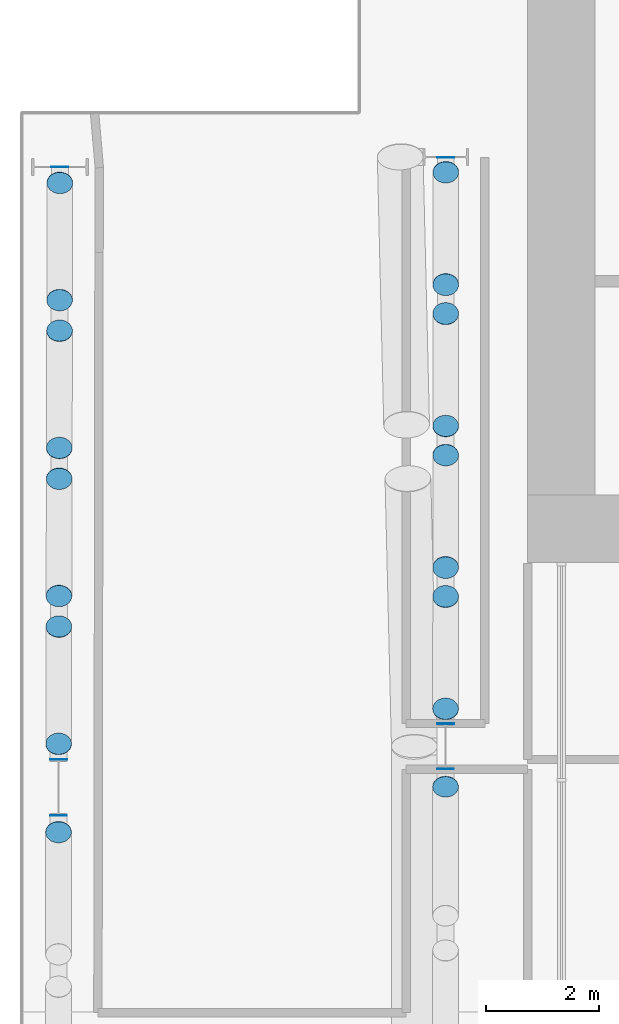
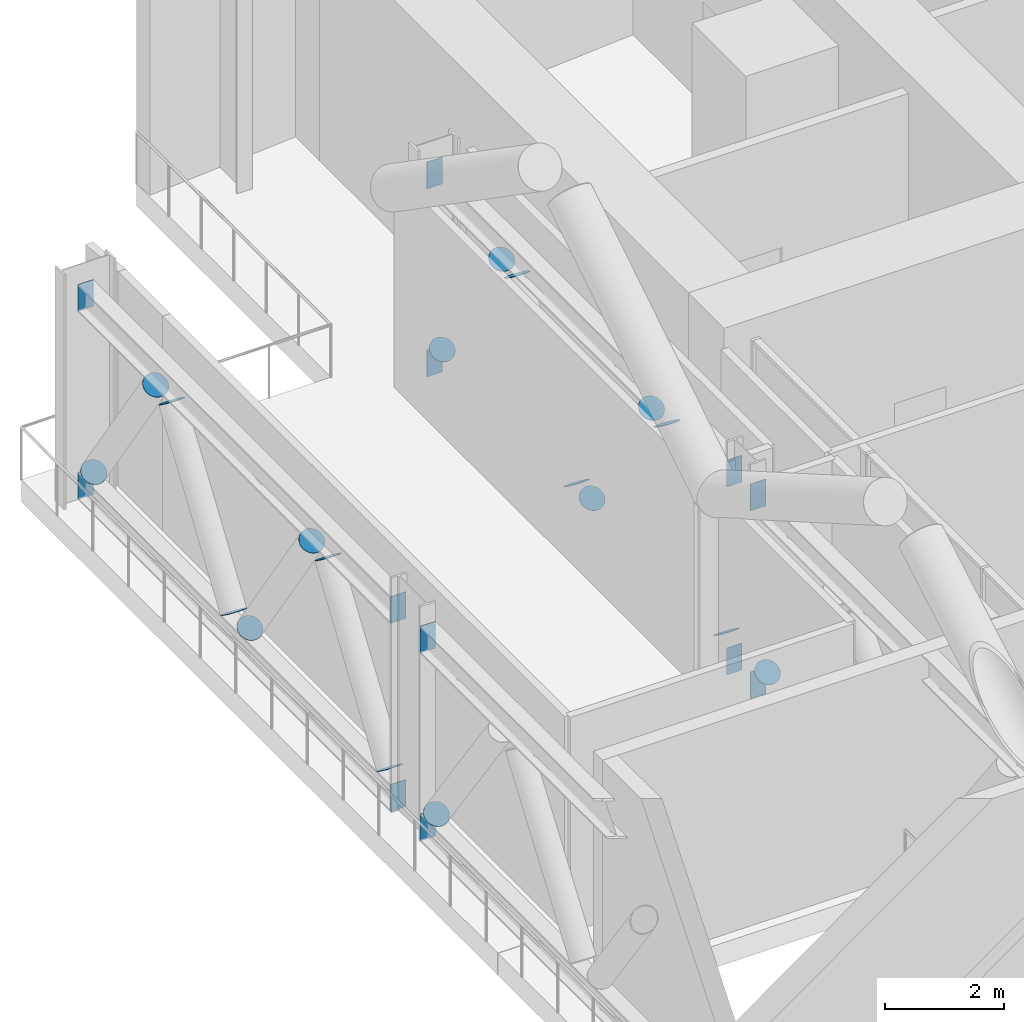
# One storey, part 30 of 39: 30 discrete accessories.
"""IFC4 building model written with IfcOpenShell, lengths in metres."""

from ifc_helpers import new_model, si_unit, direction, frame, origin, origin_2d, place, context, subcontext, project, spatial, rectangle, circle, extrude, material, material_profile, profile_set, type_object, element, save


model = new_model("IFC4")

# Units and contexts
model_context = context("Model", 3, precision=1e-05, world=origin(), true_north=direction((0.0, 1.0)))
body_context = subcontext(model_context, "Body", "Model", "MODEL_VIEW")
ifc_project = project(units=[si_unit("LENGTHUNIT", "METRE"), si_unit("AREAUNIT", "SQUARE_METRE"), si_unit("VOLUMEUNIT", "CUBIC_METRE"), si_unit("PLANEANGLEUNIT", "RADIAN"), si_unit("MASSUNIT", "GRAM", prefix="KILO")], contexts=[model_context])

# Site, building, storey
site_placement = place(None, origin())
site = spatial("IfcSite", under=ifc_project, at=site_placement, CompositionType="ELEMENT")
building_placement = place(site_placement, origin())
building = spatial("IfcBuilding", under=site, at=building_placement, Name="Wharfspan Tower", CompositionType="ELEMENT")
storey_placement = place(building_placement, frame((0.0, 0.0, 91.899902)))
storey = spatial("IfcBuildingStorey", under=building, at=storey_placement, Name="L20", CompositionType="ELEMENT", Elevation=91.899902)

# Discrete accessories
ifc_material_1 = material(Name="Steel S460NH", Category="steel")
ifc_material_profile_1 = material_profile(ifc_material_1, circle(Radius=0.228516, at=origin_2d()))
ifc_profile_set_1 = profile_set([ifc_material_profile_1], Name="Steel S460NH")
discrete_accessory_type_1 = type_object("IfcDiscreteAccessoryType", Name="End plate CHS 457x16", PredefinedType="BRACKET", material=ifc_profile_set_1)
for number, where, z_axis, x_axis, name in (
    (1, (7.544434, 40.941895, 0.666748), (0.0, -0.560309, 0.828283), (1.0, 0.0, 0.0), "End plate CHS 457x16"),
    (2, (7.543457, 38.944336, 3.725098), (0.0, -0.532172, 0.846637), (1.0, 0.0, 0.0), "End plate CHS 457x16"),
    (3, (7.543213, 38.42749, 3.733643), (0.0, -0.532172, -0.846637), (1.0, 0.0, 0.0), "End plate CHS 457x16"),
    (4, (7.54248, 36.430176, 0.675049), (0.0, -0.560309, -0.828283), (1.0, 0.0, 0.0), "End plate CHS 457x16"),
    (5, (7.542236, 35.91333, 0.666748), (0.0, -0.560309, 0.828283), (1.0, 0.0, 0.0), "End plate CHS 457x16"),
    (6, (7.54126, 33.915771, 3.725098), (0.0, -0.532172, 0.846637), (1.0, 0.0, 0.0), "End plate CHS 457x16"),
    (7, (7.54126, 33.398926, 3.733643), (0.0, -0.532172, -0.846637), (1.0, 0.0, 0.0), "End plate CHS 457x16"),
    (8, (7.540283, 31.401611, 0.675049), (0.0, -0.560309, -0.828283), (1.0, 0.0, 0.0), "End plate CHS 457x16"),
    (9, (7.540039, 30.02002, 0.679932), (0.0, -0.603858, 0.797092), (1.0, 0.0, 0.0), "End plate CHS 457x16"),
    (10, (0.684326, 40.753418, 0.670654), (-0.024354, -0.560143, 0.828038), (0.999053, -0.043437, 0.0), "End plate CHS 457x16"),
    (11, (0.679443, 38.669678, 3.721191), (0.0, -0.560309, 0.828283), (1.0, 0.0, 0.0), "End plate CHS 457x16"),
    (12, (0.678223, 38.123535, 3.729492), (0.0, -0.560309, -0.828283), (1.0, 0.0, 0.0), "End plate CHS 457x16"),
    (13, (0.673584, 36.039795, 0.678955), (0.0, -0.560309, -0.828283), (1.0, 0.0, 0.0), "End plate CHS 457x16"),
    (14, (0.672363, 35.493652, 0.670654), (0.0, -0.560309, 0.828283), (1.0, 0.0, 0.0), "End plate CHS 457x16"),
    (15, (0.667725, 33.409912, 3.721191), (0.0, -0.560309, 0.828283), (1.0, 0.0, 0.0), "End plate CHS 457x16"),
    (16, (0.666504, 32.86377, 3.729492), (0.0, -0.560309, -0.828283), (1.0, 0.0, 0.0), "End plate CHS 457x16"),
    (17, (0.661865, 30.779785, 0.678955), (0.0, -0.560309, -0.828283), (1.0, 0.0, 0.0), "End plate CHS 457x16"),
):
    element("IfcDiscreteAccessory", number, at=place(storey_placement, frame(where, z_axis=z_axis, x_axis=x_axis)), inside=storey, type_object=discrete_accessory_type_1, Name=name, PredefinedType="BRACKET", context=body_context, shape_type="SweptSolid", body=[
        extrude(circle(Radius=0.228516, at=origin_2d()), origin(), (0.0, 0.0, 1.0), 0.01001),
    ])
discrete_accessory_placement = place(storey_placement, frame((0.659912, 29.210693, 0.674805), z_axis=(0.0, -0.571793, 0.820398), x_axis=(1.0, 0.0, 0.0)))
element("IfcDiscreteAccessory", 18, at=discrete_accessory_placement, inside=storey, type_object=discrete_accessory_type_1, Name="End plate CHS 457x16", PredefinedType="BRACKET", context=body_context, shape_type="SweptSolid", body=[
    extrude(circle(Radius=0.228516, at=origin_2d()), origin(), (0.0, 0.0, 1.0), 0.009766),
])
ifc_material_2 = material(Name="Steel S355J2", Category="steel")
ifc_material_profile_2 = material_profile(ifc_material_2, rectangle(XDim=0.300049, YDim=0.550049, at=origin_2d()))
ifc_profile_set_2 = profile_set([ifc_material_profile_2], Name="Steel S355J2")
discrete_accessory_type_2 = type_object("IfcDiscreteAccessoryType", Name="End plate HEB 550", PredefinedType="BRACKET", material=ifc_profile_set_2)
for number, where, z_axis, x_axis, name in (
    (19, (7.544434, 41.20752, 4.125), (0.0, -1.0, 0.0), (1.0, 0.0, 0.0), "End plate HEB 550"),
    (20, (7.540283, 31.140381, 4.125), (0.0, -1.0, 0.0), (1.0, 0.0, 0.0), "End plate HEB 550"),
    (21, (7.544434, 41.20752, 0.275146), (0.0, -1.0, 0.0), (1.0, 0.0, 0.0), "End plate HEB 550"),
    (22, (7.540283, 31.140381, 0.275146), (0.0, -1.0, 0.0), (1.0, 0.0, 0.0), "End plate HEB 550"),
    (23, (7.540039, 30.336426, 4.125), (0.0, -1.0, 0.0), (1.0, 0.0, 0.0), "End plate HEB 550"),
    (24, (7.540039, 30.336426, 0.275146), (0.0, -1.0, 0.0), (1.0, 0.0, 0.0), "End plate HEB 550"),
    (25, (0.684814, 41.033691, 4.125), (0.0, -1.0, 0.0), (1.0, 0.0, 0.0), "End plate HEB 550"),
    (26, (0.661133, 30.503906, 4.125), (0.0, -1.0, 0.0), (1.0, 0.0, 0.0), "End plate HEB 550"),
    (27, (0.684814, 41.033691, 0.275146), (0.0, -1.0, 0.0), (1.0, 0.0, 0.0), "End plate HEB 550"),
    (28, (0.661133, 30.503906, 0.275146), (0.0, -1.0, 0.0), (1.0, 0.0, 0.0), "End plate HEB 550"),
    (29, (0.659912, 29.506104, 4.125), (0.0, -1.0, 0.0), (1.0, 0.0, 0.0), "End plate HEB 550"),
    (30, (0.659912, 29.506104, 0.275146), (0.0, -1.0, 0.0), (1.0, 0.0, 0.0), "End plate HEB 550"),
):
    element("IfcDiscreteAccessory", number, at=place(storey_placement, frame(where, z_axis=z_axis, x_axis=x_axis)), inside=storey, type_object=discrete_accessory_type_2, Name=name, PredefinedType="BRACKET", context=body_context, shape_type="SweptSolid", body=[
        extrude(rectangle(XDim=0.300049, YDim=0.550049, at=origin_2d()), origin(), (0.0, 0.0, 1.0), 0.01001),
    ])

save(model, "model.ifc")
